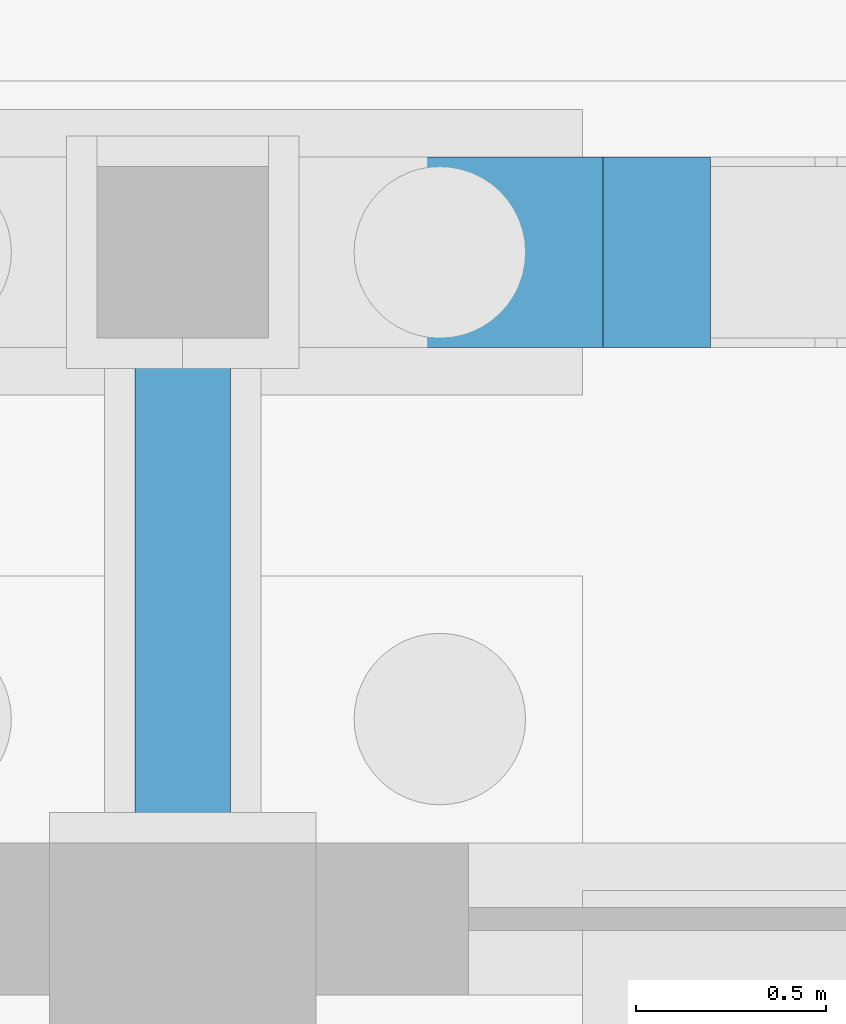
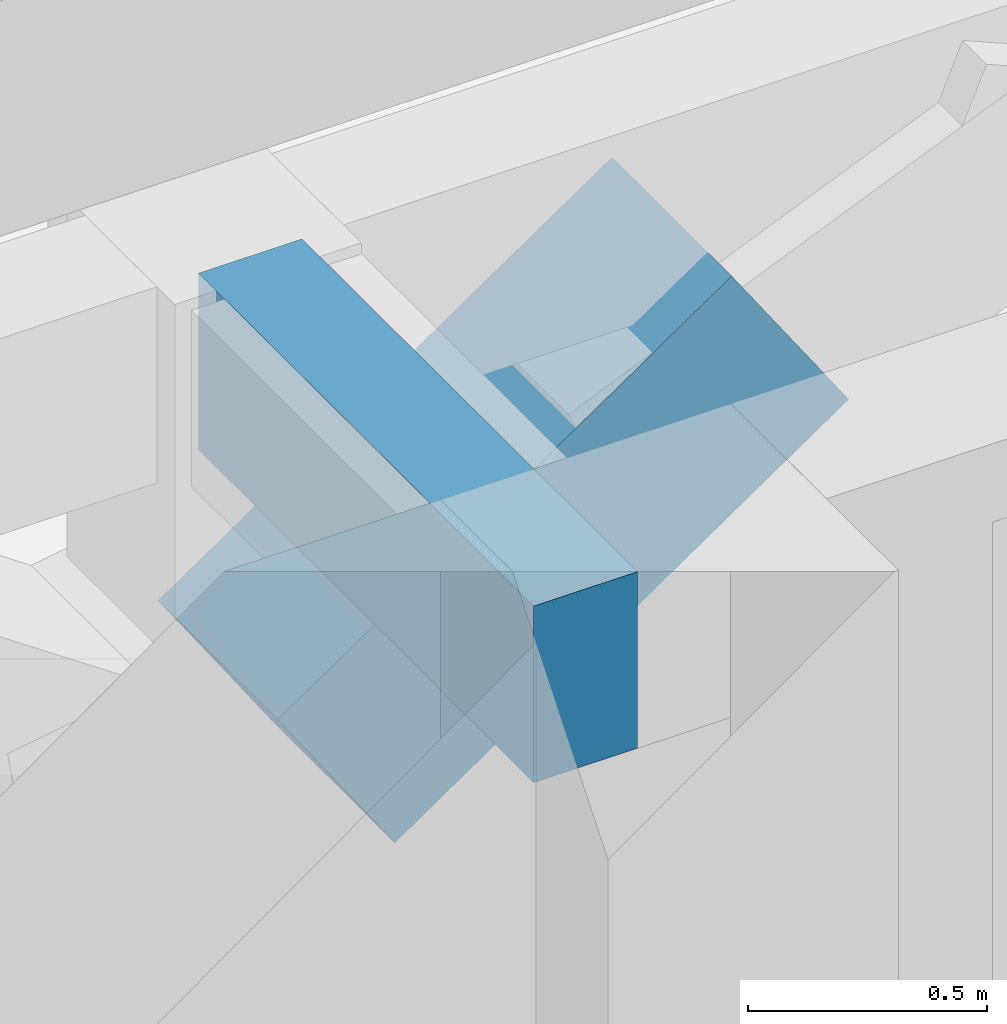
# One storey, part 26 of 112: 1 beam, 1 member.
"""IFC4 building model written with IfcOpenShell, lengths in metres."""

import ifcopenshell
import ifcopenshell.guid

model = None  # the IFC model being written
_history = None  # IfcOwnerHistory: only IFC2X3 demands one
_inside = {}  # id of a spatial element -> (the spatial element, [elements in it])
_under = {}  # id of a project, library or spatial element -> (it, [spatial elements below it])
_declared = {}  # id of a project -> (the project, [libraries it declares])
_typed = {}  # id of a type object -> (the type object, [elements of that type])
_made_of = {}  # id of a material, layer set ... -> (it, [elements and type objects made of it])


def new_model(schema):
    """Start an empty IFC model of exactly this schema.

    Asked for "IFC4X3", IfcOpenShell would pick the latest addendum, in which some entities
    have other attributes; the version numbers below select the first issue.
    IFC2X3 requires an IfcOwnerHistory on every rooted entity: one is made here for all.
    """
    global model, _history
    if schema == "IFC4X3":
        model = ifcopenshell.file(schema_version=(4, 3, 0, 0))
    else:
        model = ifcopenshell.file(schema=schema)
    _inside.clear()
    _under.clear()
    _declared.clear()
    _typed.clear()
    _made_of.clear()
    _history = None
    if model.schema == "IFC2X3":
        org = make("IfcOrganization", Name="unknown")
        user = make(
            "IfcPersonAndOrganization",
            ThePerson=make("IfcPerson", FamilyName="unknown"),
            TheOrganization=org,
        )
        app = make(
            "IfcApplication",
            ApplicationDeveloper=org,
            Version="unknown",
            ApplicationFullName="unknown",
            ApplicationIdentifier="unknown",
        )
        _history = make(
            "IfcOwnerHistory",
            OwningUser=user,
            OwningApplication=app,
            ChangeAction="ADDED",
            CreationDate=0,
        )
    return model


def make(cls, **values):
    """One entity of the class cls with the attributes given. An attribute that is None is left unset."""
    return model.create_entity(
        cls, **{name: value for name, value in values.items() if value is not None}
    )


def rooted(cls, **values):
    """An entity with a GlobalId (a new one), such as an element, a storey or a relation."""
    return make(cls, GlobalId=ifcopenshell.guid.new(), OwnerHistory=_history, **values)


def si_unit(unit_type, name, prefix=None):
    """IfcSIUnit, for example si_unit("LENGTHUNIT", "METRE", prefix="MILLI")."""
    return make("IfcSIUnit", UnitType=unit_type, Prefix=prefix, Name=name)


def assignment(units):
    """IfcUnitAssignment: the units of a project."""
    return None if units is None else make("IfcUnitAssignment", Units=units)


def point(xyz):
    """IfcCartesianPoint."""
    return None if xyz is None else make("IfcCartesianPoint", Coordinates=xyz)


def direction(xyz):
    """IfcDirection."""
    return None if xyz is None else make("IfcDirection", DirectionRatios=xyz)


def frame(location, z_axis=None, x_axis=None):
    """IfcAxis2Placement3D, a coordinate frame: its origin and axes. An axis left out is left unset."""
    return make(
        "IfcAxis2Placement3D",
        Location=point(location),
        Axis=direction(z_axis),
        RefDirection=direction(x_axis),
    )


def frame_2d(location, x_axis=None):
    """IfcAxis2Placement2D, a coordinate frame in the plane: its origin and x axis."""
    return make(
        "IfcAxis2Placement2D", Location=point(location), RefDirection=direction(x_axis)
    )


def origin():
    """The frame at (0, 0, 0) with its axes left unset."""
    return frame((0.0, 0.0, 0.0))


def origin_2d():
    """The frame at (0, 0) in the plane with its x axis left unset."""
    return frame_2d((0.0, 0.0))


def place(relative_to, where):
    """IfcLocalPlacement: puts the frame where relative to a parent placement (None: the world)."""
    return make(
        "IfcLocalPlacement", PlacementRelTo=relative_to, RelativePlacement=where
    )


def context(
    kind, dimensions, precision=None, world=None, true_north=None, identifier=None
):
    """IfcGeometricRepresentationContext, for example the 3D "Model" context."""
    return make(
        "IfcGeometricRepresentationContext",
        ContextIdentifier=identifier,
        ContextType=kind,
        CoordinateSpaceDimension=dimensions,
        Precision=precision,
        WorldCoordinateSystem=world,
        TrueNorth=true_north,
    )


def subcontext(parent, identifier, kind, view, scale=None):
    """IfcGeometricRepresentationSubContext, for example "Body" below "Model"."""
    return make(
        "IfcGeometricRepresentationSubContext",
        ContextIdentifier=identifier,
        ContextType=kind,
        ParentContext=parent,
        TargetScale=scale,
        TargetView=view,
    )


def project(units=None, contexts=None):
    """IfcProject with its units and contexts."""
    return rooted(
        "IfcProject",
        Name="project",
        RepresentationContexts=contexts,
        UnitsInContext=assignment(units),
    )


def spatial(cls, under=None, at=None, **own):
    """A site, building, storey or space (cls), placed at a placement, below another one or the project."""
    s = rooted(cls, ObjectPlacement=at, **own)
    if under is not None:
        _under.setdefault(under.id(), (under, []))[1].append(s)
    return s


def profile(cls, at=None, kind="AREA", **sizes):
    """A parametric profile (cls). Its sizes go by their IFC names, for example OverallWidth=200.0."""
    return make(cls, ProfileType=kind, Position=at, **sizes)


def rectangle(**sizes):
    """IfcRectangleProfileDef."""
    return profile("IfcRectangleProfileDef", **sizes)


def extrude(swept, where, along, depth):
    """IfcExtrudedAreaSolid: the profile swept, set in the frame where, extruded along a direction by depth."""
    return make(
        "IfcExtrudedAreaSolid",
        SweptArea=swept,
        Position=where,
        ExtrudedDirection=direction(along),
        Depth=depth,
    )


def shape(context_of_items, identifier, shape_type, items):
    """IfcShapeRepresentation: the items that make up one representation, for example the "Body"."""
    return make(
        "IfcShapeRepresentation",
        ContextOfItems=context_of_items,
        RepresentationIdentifier=identifier,
        RepresentationType=shape_type,
        Items=items,
    )


def material(Name=None, Category=None):
    """IfcMaterial."""
    return make("IfcMaterial", Name=Name, Category=Category)


def material_profile(
    of_material, cross_section, Name=None, Category=None, Priority=None
):
    """IfcMaterialProfile: a cross section and its material."""
    return make(
        "IfcMaterialProfile",
        Name=Name,
        Material=of_material,
        Profile=cross_section,
        Priority=Priority,
        Category=Category,
    )


def profile_set(profiles, Name=None, composite=None):
    """IfcMaterialProfileSet."""
    return make(
        "IfcMaterialProfileSet",
        Name=Name,
        MaterialProfiles=profiles,
        CompositeProfile=composite,
    )


def made_of(thing, what):
    """Note that an element or type object is made of a material, layer set ...; save() writes the relation."""
    if what is not None:
        _made_of.setdefault(what.id(), (what, []))[1].append(thing)
    return thing


def type_object(cls, material=None, **own):
    """A type object (cls), such as IfcWallType, which elements share."""
    return made_of(rooted(cls, **own), material)


def element(
    cls,
    number,
    at=None,
    inside=None,
    cuts=None,
    type_object=None,
    material=None,
    context=None,
    identifier="Body",
    shape_type=None,
    held_by="IfcProductDefinitionShape",
    body=None,
    shapes=None,
    **own,
):
    """One element of the class cls, such as IfcWall. Its Tag is "e" and its number.

    at: its placement. inside: the storey or other place that contains it. cuts: it is an
    opening in that element (IfcRelVoidsElement). A single representation is given by context,
    identifier, shape_type and body (its items); several are given by shapes. held_by: the class
    of the entity that holds the representations. save() writes the other relations.
    """
    e = rooted(cls, Tag="e%d" % number, ObjectPlacement=at, **own)
    if body is not None:
        shapes = [shape(context, identifier, shape_type, body)]
    if shapes is not None:
        e.Representation = make(held_by, Representations=shapes)
    if inside is not None:
        _inside.setdefault(inside.id(), (inside, []))[1].append(e)
    if cuts is not None:
        rooted(
            "IfcRelVoidsElement", RelatingBuildingElement=cuts, RelatedOpeningElement=e
        )
    if type_object is not None:
        _typed.setdefault(type_object.id(), (type_object, []))[1].append(e)
    return made_of(e, material)


def aggregate(whole, parts):
    """IfcRelAggregates: a whole, such as a stair, and the parts it consists of."""
    return rooted("IfcRelAggregates", RelatingObject=whole, RelatedObjects=parts)


def save(model, path):
    """Write the relations noted so far, then the file.

    IfcRelAggregates (storeys below a building ...), IfcRelContainedInSpatialStructure (elements
    in a storey), IfcRelDefinesByType, IfcRelAssociatesMaterial and IfcRelDeclares: one each for
    every whole, place, type object, material and project.
    """
    for whole, parts in _under.values():
        aggregate(whole, parts)
    for where, things in _inside.values():
        rooted(
            "IfcRelContainedInSpatialStructure",
            RelatedElements=things,
            RelatingStructure=where,
        )
    for kind, things in _typed.values():
        rooted("IfcRelDefinesByType", RelatedObjects=things, RelatingType=kind)
    for what, things in _made_of.values():
        rooted("IfcRelAssociatesMaterial", RelatedObjects=things, RelatingMaterial=what)
    for by, libraries in _declared.values():
        rooted("IfcRelDeclares", RelatingContext=by, RelatedDefinitions=libraries)
    model.write(path)


model = new_model("IFC4")

# Units and contexts
model_context = context("Model", 3, precision=1e-05, world=origin(), true_north=direction((0.0, 1.0)))
body_context = subcontext(model_context, "Body", "Model", "MODEL_VIEW")
ifc_project = project(units=[si_unit("LENGTHUNIT", "METRE"), si_unit("AREAUNIT", "SQUARE_METRE"), si_unit("VOLUMEUNIT", "CUBIC_METRE"), si_unit("PLANEANGLEUNIT", "RADIAN"), si_unit("MASSUNIT", "GRAM", prefix="KILO")], contexts=[model_context])

# Site, building, storey
site_placement = place(None, origin())
site = spatial("IfcSite", under=ifc_project, at=site_placement, CompositionType="ELEMENT")
building_placement = place(site_placement, origin())
building = spatial("IfcBuilding", under=site, at=building_placement, Name="Wasatch Bagh Community Centre", CompositionType="ELEMENT")
storey_placement = place(building_placement, origin())
storey = spatial("IfcBuildingStorey", under=building, at=storey_placement, Name="L00", CompositionType="ELEMENT", Elevation=0.0)

# Beam
ifc_material_1 = material(Name="Concrete C35", Category="concrete")
ifc_material_profile_1 = material_profile(ifc_material_1, rectangle(XDim=0.25, YDim=0.449951171875, at=origin_2d()), Name="RC 250x450")
ifc_profile_set_1 = profile_set([ifc_material_profile_1], Name="Concrete C35")
beam_type = type_object("IfcBeamType", Name="CL-B2", PredefinedType="BEAM", material=ifc_profile_set_1)
beam_placement = place(storey_placement, frame((88.39990234375, 32.0, 3.625), z_axis=(0.0, 1.0, 0.0), x_axis=(-1.0, 0.0, 0.0)))
element("IfcBeam", 1, at=beam_placement, inside=storey, type_object=beam_type, Name="CL-B2 arcade cross beam DH 7", PredefinedType="BEAM", context=body_context, shape_type="SweptSolid", body=[
    extrude(rectangle(XDim=0.25, YDim=0.449951171875, at=origin_2d()), origin(), (0.0, 0.0, 1.0), 1.39990234375),
])

# Member
ifc_material_2 = material(Name="Concrete C40", Category="concrete")
ifc_material_profile_2 = material_profile(ifc_material_2, rectangle(XDim=0.5, YDim=0.5, at=origin_2d()), Name="RC 500x500")
ifc_profile_set_2 = profile_set([ifc_material_profile_2], Name="Concrete C40")
member_type = type_object("IfcMemberType", Name="CL-R1", PredefinedType="MEMBER", material=ifc_profile_set_2)
member_placement = place(storey_placement, frame((88.5498046875, 33.550048828125, 2.51904296875), z_axis=(0.825790517456, 0.0, 0.563976968749), x_axis=(0.0, 1.0, 0.0)))
element("IfcMember", 2, at=member_placement, inside=storey, type_object=member_type, Name="CL-R1 arch rib DH 3.2", PredefinedType="MEMBER", context=body_context, shape_type="SweptSolid", body=[
    extrude(rectangle(XDim=0.5, YDim=0.5, at=origin_2d()), origin(), (0.0, 0.0, 1.0), 1.3251953125),
])

save(model, "model.ifc")
